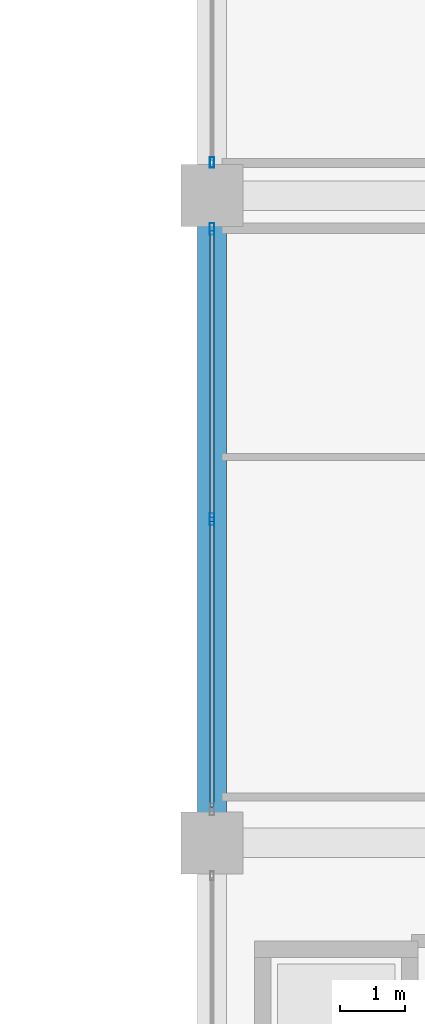
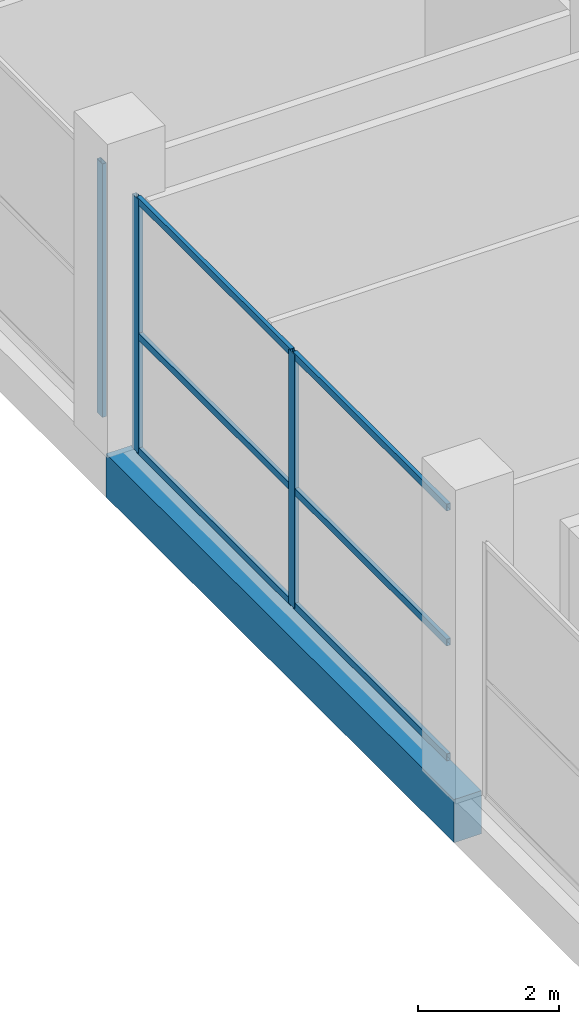
# One storey, part 5 of 50: 9 members, 1 beam, 2 elements without a shape of their own.
"""IFC4 building model written with IfcOpenShell, lengths in metres."""

from ifc_helpers import new_model, si_unit, direction, frame, origin, origin_2d, place, context, subcontext, project, spatial, rectangle, hollow_rectangle, extrude, material, layer, layer_set, material_profile, profile_set, type_object, element, aggregate, save


model = new_model("IFC4")

# Units and contexts
model_context = context("Model", 3, precision=1e-05, world=origin(), true_north=direction((0.0, 1.0)))
body_context = subcontext(model_context, "Body", "Model", "MODEL_VIEW")
ifc_project = project(units=[si_unit("LENGTHUNIT", "METRE"), si_unit("AREAUNIT", "SQUARE_METRE"), si_unit("VOLUMEUNIT", "CUBIC_METRE"), si_unit("PLANEANGLEUNIT", "RADIAN"), si_unit("MASSUNIT", "GRAM", prefix="KILO")], contexts=[model_context])

# Site, building, storey
site_placement = place(None, origin())
site = spatial("IfcSite", under=ifc_project, at=site_placement, CompositionType="ELEMENT")
building_placement = place(site_placement, origin())
building = spatial("IfcBuilding", under=site, at=building_placement, Name="Sillaruma Civic Art Gallery", CompositionType="ELEMENT")
storey_placement = place(building_placement, origin())
storey = spatial("IfcBuildingStorey", under=building, at=storey_placement, Name="L00", CompositionType="ELEMENT", Elevation=0.0)

# Beam
ifc_material_1 = material(Name="Concrete H40 (40 MPa)", Category="concrete")
ifc_material_profile_1 = material_profile(ifc_material_1, rectangle(XDim=0.449951171875, YDim=0.75, at=origin_2d()), Name="RCB450x750")
ifc_profile_set_1 = profile_set([ifc_material_profile_1], Name="Concrete H40 (40 MPa)")
beam_type = type_object("IfcBeamType", Name="BM-BEAM-RCB450x750", PredefinedType="BEAM", material=ifc_profile_set_1)
beam_placement = place(storey_placement, frame((62.0, 49.5, -0.675048828125), z_axis=(0.0, 1.0, 0.0), x_axis=(-1.0, 0.0, 0.0)))
element("IfcBeam", 1, at=beam_placement, inside=storey, type_object=beam_type, Name="Beam BM-03 (B01:F:6-7)", PredefinedType="BEAM", context=body_context, shape_type="SweptSolid", body=[
    extrude(rectangle(XDim=0.449951171875, YDim=0.75, at=origin_2d()), origin(), (0.0, 0.0, 1.0), 9.89990234375),
])

# Curtain wall, member
ifc_material_2 = material(Name="Thermally Broken Extruded Aluminium 6063-T6", Category="aluminium")
ifc_layer_1 = layer(ifc_material_2, 0.159912109375, Name="Thermally Broken Extruded Aluminium 6063-T6")
ifc_layer_set_1 = layer_set([ifc_layer_1], Name="Thermally Broken Extruded Aluminium 6063-T6")
curtain_wall_type_1 = type_object("IfcCurtainWallType", Name="CW-UNI-04", PredefinedType="NOTDEFINED", material=ifc_layer_set_1)
curtain_wall_1_placement = place(storey_placement, origin())
curtain_wall_1 = element("IfcCurtainWall", 2, at=curtain_wall_1_placement, inside=storey, type_object=curtain_wall_type_1, Name="Unitised Curtain Wall CW-04 (CW-L00-SPW-5)", PredefinedType="NOTDEFINED")
ifc_material_profile_2 = material_profile(ifc_material_2, hollow_rectangle(XDim=0.06494140625, YDim=0.159912109375, WallThickness=0.00390625, at=origin_2d()), Name="CWM65x160")
ifc_profile_set_2 = profile_set([ifc_material_profile_2], Name="Thermally Broken Extruded Aluminium 6063-T6")
member_type_1 = type_object("IfcMemberType", Name="MEM-MUL-CWM65x160", PredefinedType="MULLION", material=ifc_profile_set_2)
member_1_placement = place(storey_placement, frame((62.0, 59.907470703125, 0.0), z_axis=(0.0, 0.0, 1.0), x_axis=(-1.0, 0.0, 0.0)))
member_1 = element("IfcMember", 3, at=member_1_placement, type_object=member_type_1, Name="CW-04 mullion 1", PredefinedType="MULLION", context=body_context, shape_type="SweptSolid", body=[
    extrude(hollow_rectangle(XDim=0.06494140625, YDim=0.159912109375, WallThickness=0.00390625, at=origin_2d()), origin(), (0.0, 0.0, 1.0), 4.39990234375),
])
aggregate(curtain_wall_1, [member_1])

# Curtain wall, members
ifc_layer_2 = layer(ifc_material_2, 0.179931640625, Name="Thermally Broken Extruded Aluminium 6063-T6")
ifc_layer_set_2 = layer_set([ifc_layer_2], Name="Thermally Broken Extruded Aluminium 6063-T6")
curtain_wall_type_2 = type_object("IfcCurtainWallType", Name="CW-UNI-03", PredefinedType="NOTDEFINED", material=ifc_layer_set_2)
curtain_wall_2_placement = place(storey_placement, origin())
curtain_wall_2 = element("IfcCurtainWall", 4, at=curtain_wall_2_placement, inside=storey, type_object=curtain_wall_type_2, Name="Unitised Curtain Wall CW-03 (CW-L00-SPW-4)", PredefinedType="NOTDEFINED")
ifc_material_profile_3 = material_profile(ifc_material_2, hollow_rectangle(XDim=0.070068359375, YDim=0.179931640625, WallThickness=0.00390625, at=origin_2d()), Name="CWM70x180")
ifc_profile_set_3 = profile_set([ifc_material_profile_3], Name="Thermally Broken Extruded Aluminium 6063-T6")
member_type_2 = type_object("IfcMemberType", Name="MEM-MUL-CWM70x180", PredefinedType="MULLION", material=ifc_profile_set_3)
member_2_placement = place(storey_placement, frame((62.0, 54.449951171875, 0.0), z_axis=(0.0, 0.0, 1.0), x_axis=(-1.0, 0.0, 0.0)))
member_2 = element("IfcMember", 5, at=member_2_placement, type_object=member_type_2, Name="CW-03 mullion 2", PredefinedType="MULLION", context=body_context, shape_type="SweptSolid", body=[
    extrude(hollow_rectangle(XDim=0.070068359375, YDim=0.179931640625, WallThickness=0.00390625, at=origin_2d()), origin(), (0.0, 0.0, 1.0), 4.39990234375),
])
member_3_placement = place(storey_placement, frame((62.0, 58.889892578125, 0.0), z_axis=(0.0, 0.0, 1.0), x_axis=(-1.0, 0.0, 0.0)))
member_3 = element("IfcMember", 6, at=member_3_placement, type_object=member_type_2, Name="CW-03 mullion 3", PredefinedType="MULLION", context=body_context, shape_type="SweptSolid", body=[
    extrude(hollow_rectangle(XDim=0.070068359375, YDim=0.179931640625, WallThickness=0.00390625, at=origin_2d()), origin(), (0.0, 0.0, 1.0), 4.39990234375),
])
ifc_material_profile_4 = material_profile(ifc_material_2, hollow_rectangle(XDim=0.06494140625, YDim=0.1201171875, WallThickness=0.00341796875, at=origin_2d()), Name="CWT65x120")
ifc_profile_set_4 = profile_set([ifc_material_profile_4], Name="Thermally Broken Extruded Aluminium 6063-T6")
member_type_3 = type_object("IfcMemberType", Name="MEM-TRN-CWT65x120", PredefinedType="USERDEFINED", material=ifc_profile_set_4)
member_4_placement = place(storey_placement, frame((62.0, 50.044921875, 0.032470703125), z_axis=(0.0, 1.0, 0.0), x_axis=(-1.0, 0.0, 0.0)))
member_4 = element("IfcMember", 7, at=member_4_placement, type_object=member_type_3, Name="CW-03 transom 1.1", ObjectType="TRANSOM", PredefinedType="USERDEFINED", context=body_context, shape_type="SweptSolid", body=[
    extrude(hollow_rectangle(XDim=0.06494140625, YDim=0.1201171875, WallThickness=0.00341796875, at=origin_2d()), origin(), (0.0, 0.0, 1.0), 4.3701171875),
])
member_5_placement = place(storey_placement, frame((62.0, 50.044921875, 2.02392578125), z_axis=(0.0, 1.0, 0.0), x_axis=(-1.0, 0.0, 0.0)))
member_5 = element("IfcMember", 8, at=member_5_placement, type_object=member_type_3, Name="CW-03 transom 1.2", ObjectType="TRANSOM", PredefinedType="USERDEFINED", context=body_context, shape_type="SweptSolid", body=[
    extrude(hollow_rectangle(XDim=0.06494140625, YDim=0.1201171875, WallThickness=0.00341796875, at=origin_2d()), origin(), (0.0, 0.0, 1.0), 4.3701171875),
])
member_6_placement = place(storey_placement, frame((62.0, 50.044921875, 4.367431640625), z_axis=(0.0, 1.0, 0.0), x_axis=(-1.0, 0.0, 0.0)))
member_6 = element("IfcMember", 9, at=member_6_placement, type_object=member_type_3, Name="CW-03 transom 1.3", ObjectType="TRANSOM", PredefinedType="USERDEFINED", context=body_context, shape_type="SweptSolid", body=[
    extrude(hollow_rectangle(XDim=0.06494140625, YDim=0.1201171875, WallThickness=0.00341796875, at=origin_2d()), origin(), (0.0, 0.0, 1.0), 4.3701171875),
])
member_7_placement = place(storey_placement, frame((62.0, 54.485107421875, 0.032470703125), z_axis=(0.0, 1.0, 0.0), x_axis=(-1.0, 0.0, 0.0)))
member_7 = element("IfcMember", 10, at=member_7_placement, type_object=member_type_3, Name="CW-03 transom 2.1", ObjectType="TRANSOM", PredefinedType="USERDEFINED", context=body_context, shape_type="SweptSolid", body=[
    extrude(hollow_rectangle(XDim=0.06494140625, YDim=0.1201171875, WallThickness=0.00341796875, at=origin_2d()), origin(), (0.0, 0.0, 1.0), 4.369873046875),
])
member_8_placement = place(storey_placement, frame((62.0, 54.485107421875, 2.02392578125), z_axis=(0.0, 1.0, 0.0), x_axis=(-1.0, 0.0, 0.0)))
member_8 = element("IfcMember", 11, at=member_8_placement, type_object=member_type_3, Name="CW-03 transom 2.2", ObjectType="TRANSOM", PredefinedType="USERDEFINED", context=body_context, shape_type="SweptSolid", body=[
    extrude(hollow_rectangle(XDim=0.06494140625, YDim=0.1201171875, WallThickness=0.00341796875, at=origin_2d()), origin(), (0.0, 0.0, 1.0), 4.369873046875),
])
member_9_placement = place(storey_placement, frame((62.0, 54.485107421875, 4.367431640625), z_axis=(0.0, 1.0, 0.0), x_axis=(-1.0, 0.0, 0.0)))
member_9 = element("IfcMember", 12, at=member_9_placement, type_object=member_type_3, Name="CW-03 transom 2.3", ObjectType="TRANSOM", PredefinedType="USERDEFINED", context=body_context, shape_type="SweptSolid", body=[
    extrude(hollow_rectangle(XDim=0.06494140625, YDim=0.1201171875, WallThickness=0.00341796875, at=origin_2d()), origin(), (0.0, 0.0, 1.0), 4.369873046875),
])
aggregate(curtain_wall_2, [member_2, member_3, member_4, member_5, member_6, member_7, member_8, member_9])

save(model, "model.ifc")
